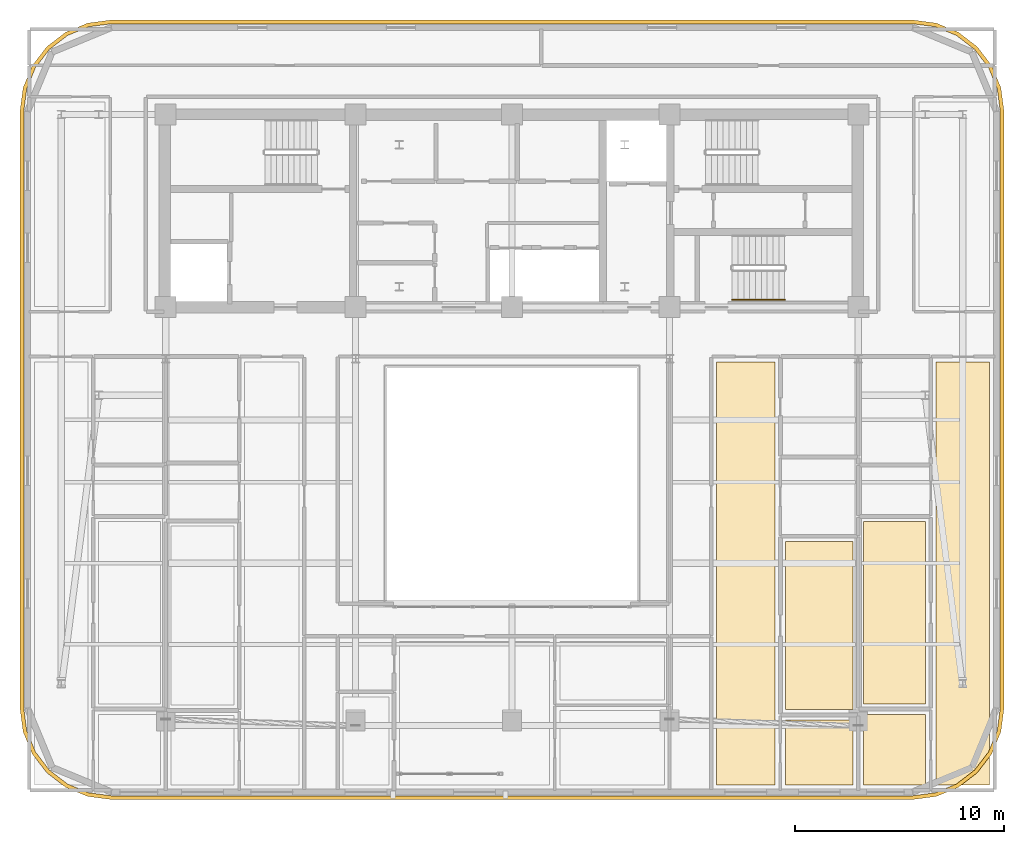
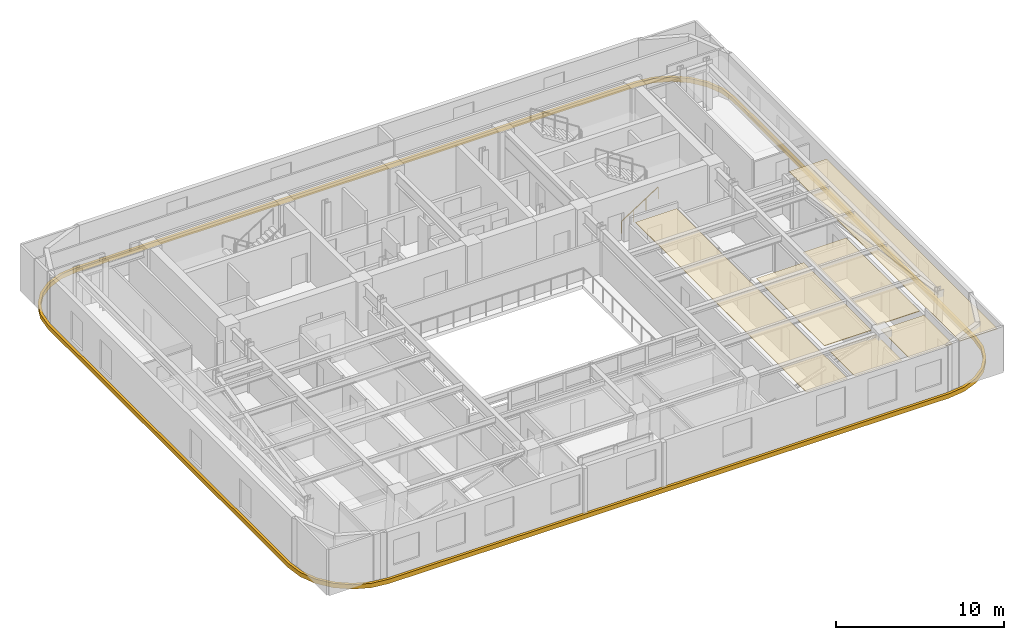
# One storey, part 14 of 15: 7 coverings, 1 railing.
"""IFC4 building model written with IfcOpenShell, lengths in metres."""

from ifc_helpers import new_model, si_unit, direction, frame, origin, origin_2d, place, context, subcontext, project, spatial, polyline, rectangle, outline, extrude, material, layer, layer_set, type_object, element, save


model = new_model("IFC4")

# Units and contexts
model_context = context("Model", 3, precision=1e-05, world=origin(), true_north=direction((0.0, 1.0)))
body_context = subcontext(model_context, "Body", "Model", "MODEL_VIEW")
ifc_project = project(units=[si_unit("LENGTHUNIT", "METRE"), si_unit("AREAUNIT", "SQUARE_METRE"), si_unit("VOLUMEUNIT", "CUBIC_METRE"), si_unit("PLANEANGLEUNIT", "RADIAN"), si_unit("MASSUNIT", "GRAM", prefix="KILO")], contexts=[model_context])

# Site, building, storey
site_placement = place(None, origin())
site = spatial("IfcSite", under=ifc_project, at=site_placement, CompositionType="ELEMENT")
building_placement = place(site_placement, origin())
building = spatial("IfcBuilding", under=site, at=building_placement, Name="Zarnavel Station Tower", CompositionType="ELEMENT")
storey_placement = place(building_placement, frame((0.0, 0.0, 200.39990234375)))
storey = spatial("IfcBuildingStorey", under=building, at=storey_placement, Name="L54", CompositionType="ELEMENT", Elevation=200.39990234375)

# Coverings
ifc_material_1 = material(Name="Perforated Gypsum and Mineral-Wool Acoustic Ceiling", Category="concrete")
ifc_layer = layer(ifc_material_1, 0.0400390625)
ifc_layer_set = layer_set([ifc_layer], Name="COV_CEIL_ACOUSTIC")
covering_type_1 = type_object("IfcCoveringType", Name="COV_CEIL_ACOUSTIC", PredefinedType="CEILING", material=ifc_layer_set)
covering_1_placement = place(storey_placement, frame((0.0, 0.0, 3.02001953125)))
element("IfcCovering", 1, at=covering_1_placement, inside=storey, type_object=covering_type_1, Name="L54 UE1LV Acoustic Ceiling", PredefinedType="CEILING", context=body_context, shape_type="SweptSolid", body=[
    extrude(outline(polyline([(38.60009765625, 4.909912109375), (41.4130859375, 4.909912109375), (41.4130859375, 25.199951171875), (38.60009765625, 25.199951171875), (38.60009765625, 4.909912109375)])), origin(), (0.0, 0.0, 1.0), 0.0400390625),
])
covering_2_placement = place(storey_placement, frame((0.0, 0.0, 3.02001953125)))
element("IfcCovering", 2, at=covering_2_placement, inside=storey, type_object=covering_type_1, Name="L54 UE1B1 Acoustic Ceiling", PredefinedType="CEILING", context=body_context, shape_type="SweptSolid", body=[
    extrude(outline(polyline([(41.9130859375, 4.909912109375), (45.14990234375, 4.909912109375), (45.14990234375, 8.02294921875), (41.9130859375, 8.02294921875), (41.9130859375, 4.909912109375)])), origin(), (0.0, 0.0, 1.0), 0.0400390625),
])
covering_3_placement = place(storey_placement, frame((0.0, 0.0, 3.02001953125)))
element("IfcCovering", 3, at=covering_3_placement, inside=storey, type_object=covering_type_1, Name="L54 UE1KT Acoustic Ceiling", PredefinedType="CEILING", context=body_context, shape_type="SweptSolid", body=[
    extrude(outline(polyline([(41.9130859375, 8.52294921875), (45.14990234375, 8.52294921875), (45.14990234375, 16.5859375), (41.9130859375, 16.5859375), (41.9130859375, 8.52294921875)])), origin(), (0.0, 0.0, 1.0), 0.0400390625),
])
covering_4_placement = place(storey_placement, frame((0.0, 0.0, 3.02001953125)))
element("IfcCovering", 4, at=covering_4_placement, inside=storey, type_object=covering_type_1, Name="L54 UE2LV Acoustic Ceiling", PredefinedType="CEILING", context=body_context, shape_type="SweptSolid", body=[
    extrude(outline(polyline([(49.115966796875, 4.909912109375), (51.68994140625, 4.909912109375), (51.68994140625, 25.199951171875), (49.115966796875, 25.199951171875), (49.115966796875, 4.909912109375)])), origin(), (0.0, 0.0, 1.0), 0.0400390625),
])
covering_5_placement = place(storey_placement, frame((0.0, 0.0, 3.02001953125)))
element("IfcCovering", 5, at=covering_5_placement, inside=storey, type_object=covering_type_1, Name="L54 UE2B1 Acoustic Ceiling", PredefinedType="CEILING", context=body_context, shape_type="SweptSolid", body=[
    extrude(outline(polyline([(45.64990234375, 4.909912109375), (48.615966796875, 4.909912109375), (48.615966796875, 8.304931640625), (45.64990234375, 8.304931640625), (45.64990234375, 4.909912109375)])), origin(), (0.0, 0.0, 1.0), 0.0400390625),
])
covering_6_placement = place(storey_placement, frame((0.0, 0.0, 3.02001953125)))
element("IfcCovering", 6, at=covering_6_placement, inside=storey, type_object=covering_type_1, Name="L54 UE2KT Acoustic Ceiling", PredefinedType="CEILING", context=body_context, shape_type="SweptSolid", body=[
    extrude(outline(polyline([(45.64990234375, 8.804931640625), (48.615966796875, 8.804931640625), (48.615966796875, 17.5380859375), (45.64990234375, 17.5380859375), (45.64990234375, 8.804931640625)])), origin(), (0.0, 0.0, 1.0), 0.0400390625),
])
ifc_material_2 = material(Name="Precast concrete C45/55 (Pale Travertine Slab Band)", Category="masonry")
covering_type_2 = type_object("IfcCoveringType", Name="COV_TRAVERTINE_BAND", PredefinedType="CLADDING", material=ifc_material_2)
covering_7_placement = place(storey_placement, frame((0.0, 0.0, -0.260009765625)))
element("IfcCovering", 7, at=covering_7_placement, inside=storey, type_object=covering_type_2, Name="L54 Pale Travertine Slab-Edge Band", PredefinedType="CLADDING", context=body_context, shape_type="SweptSolid", body=[
    extrude(outline(polyline([(48.0, 4.219970703125), (49.133544921875, 4.369140625), (50.18994140625, 4.806884765625), (51.09716796875, 5.5029296875), (51.793212890625, 6.409912109375), (52.230712890625, 7.46630859375), (52.3798828125, 8.60009765625), (52.3798828125, 37.199951171875), (52.230712890625, 38.33349609375), (51.793212890625, 39.389892578125), (51.09716796875, 40.297119140625), (50.18994140625, 40.9931640625), (49.133544921875, 41.430908203125), (48.0, 41.580078125), (9.60009765625, 41.580078125), (8.46630859375, 41.430908203125), (7.409912109375, 40.9931640625), (6.5029296875, 40.297119140625), (5.806884765625, 39.389892578125), (5.369140625, 38.33349609375), (5.219970703125, 37.199951171875), (5.219970703125, 8.60009765625), (5.369140625, 7.46630859375), (5.806884765625, 6.409912109375), (6.5029296875, 5.5029296875), (7.409912109375, 4.806884765625), (8.46630859375, 4.369140625), (9.60009765625, 4.219970703125), (48.0, 4.219970703125)]), holes=[polyline([(48.0, 4.39990234375), (49.0869140625, 4.543212890625), (50.10009765625, 4.962646484375), (50.9697265625, 5.630126953125), (51.63720703125, 6.5), (52.056884765625, 7.512939453125), (52.199951171875, 8.60009765625), (52.199951171875, 37.199951171875), (52.056884765625, 38.287109375), (51.63720703125, 39.300048828125), (50.9697265625, 40.169921875), (50.10009765625, 40.83740234375), (49.0869140625, 41.2568359375), (48.0, 41.39990234375), (9.60009765625, 41.39990234375), (8.512939453125, 41.2568359375), (7.5, 40.83740234375), (6.630126953125, 40.169921875), (5.962646484375, 39.300048828125), (5.543212890625, 38.287109375), (5.39990234375, 37.199951171875), (5.39990234375, 8.60009765625), (5.543212890625, 7.512939453125), (5.962646484375, 6.5), (6.630126953125, 5.630126953125), (7.5, 4.962646484375), (8.512939453125, 4.543212890625), (9.60009765625, 4.39990234375), (48.0, 4.39990234375)])]), origin(), (0.0, 0.0, 1.0), 0.320068359375),
])

# Railing
ifc_material_3 = material(Name="Brushed Stainless Steel S355J2 Handrail", Category="steel")
railing_type = type_object("IfcRailingType", Name="HR_STAIR_900", PredefinedType="HANDRAIL", material=ifc_material_3)
railing_placement = place(storey_placement, frame((39.35009765625, 28.169921875, 0.18017578125)))
element("IfcRailing", 8, at=railing_placement, inside=storey, type_object=railing_type, Name="L54 ST3 stair handrail 1", PredefinedType="HANDRAIL", context=body_context, shape_type="SweptSolid", body=[
    extrude(rectangle(XDim=0.048095703125, YDim=0.048095703125, at=origin_2d()), frame((0.001708984375, 0.0, 0.876953125), z_axis=(0.841199657755, 0.0, 0.540724639528), x_axis=(0.0, 1.0, 0.0)), (0.0, 0.0, 1.0), 2.99169921875),
    extrude(rectangle(XDim=0.0419921875, YDim=0.0419921875, at=origin_2d()), origin(), (0.0, 0.0, 1.0), 0.851806640625),
    extrude(rectangle(XDim=0.0419921875, YDim=0.0419921875, at=origin_2d()), frame((0.840087890625, 0.0, 0.5400390625)), (0.0, 0.0, 1.0), 0.851806640625),
    extrude(rectangle(XDim=0.0419921875, YDim=0.0419921875, at=origin_2d()), frame((1.679931640625, 0.0, 1.079833984375)), (0.0, 0.0, 1.0), 0.851806640625),
    extrude(rectangle(XDim=0.0419921875, YDim=0.0419921875, at=origin_2d()), frame((2.52001953125, 0.0, 1.619873046875)), (0.0, 0.0, 1.0), 0.851806640625),
])

save(model, "model.ifc")
